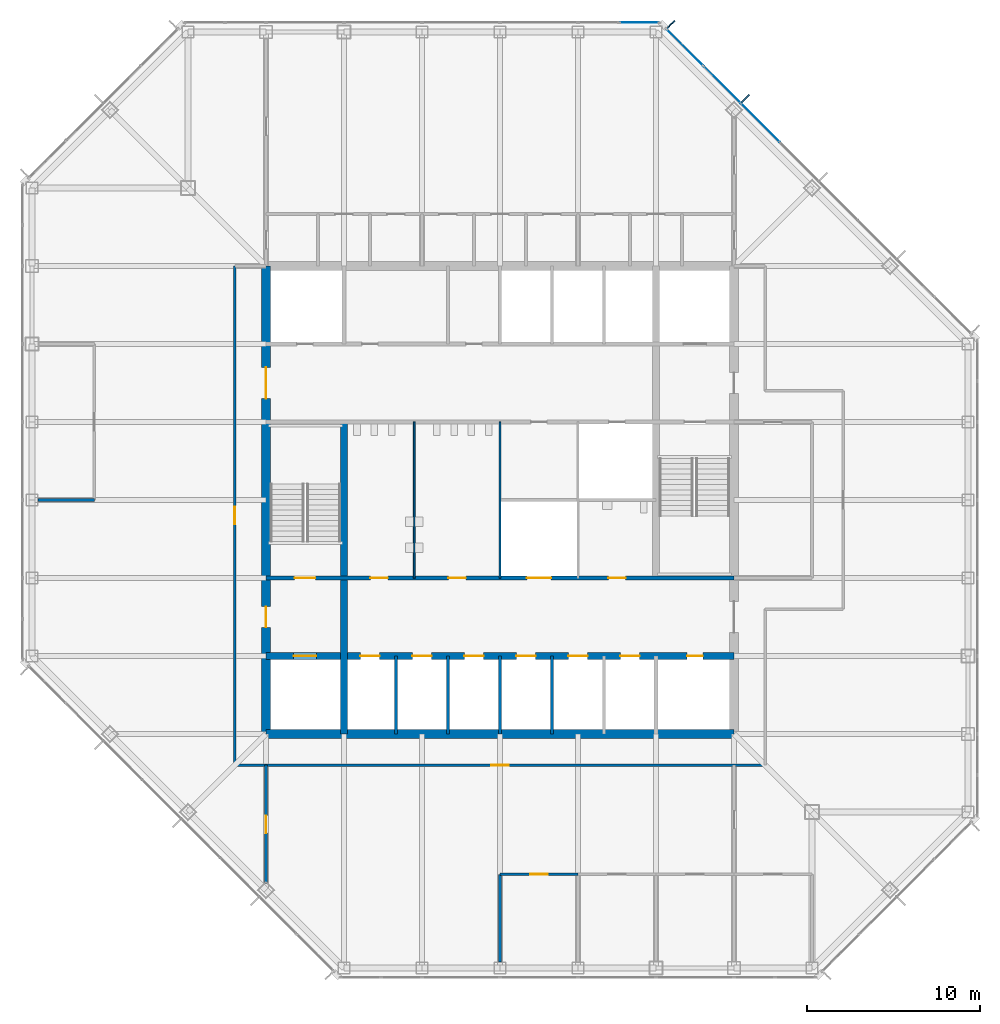
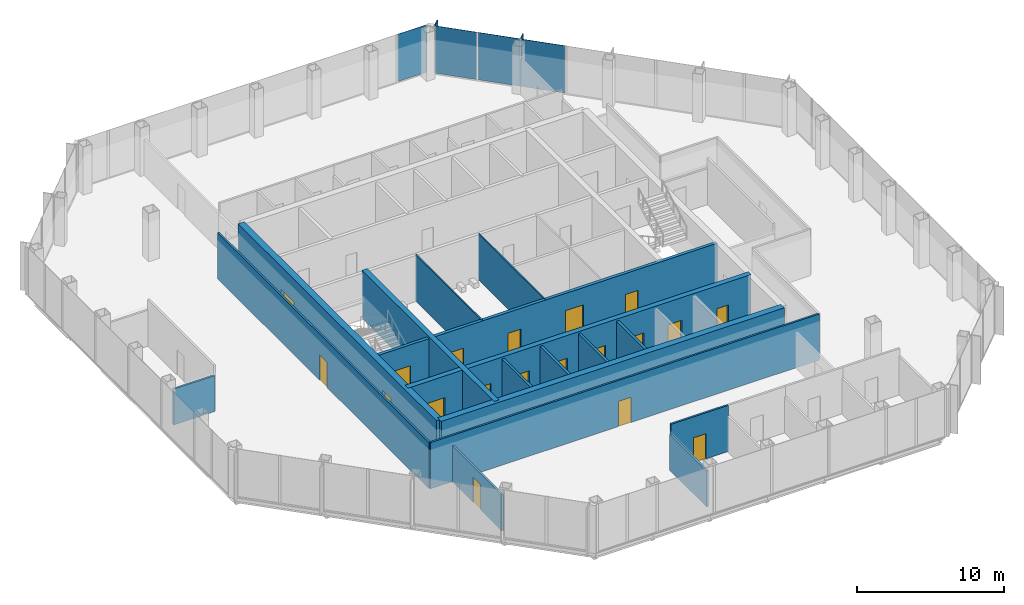
# One storey, part 8 of 12: 19 doors, 17 walls, 6 plates, 19 openings, 2 elements without a shape of their own.
"""IFC4 building model written with IfcOpenShell, lengths in metres."""

from ifc_helpers import new_model, si_unit, direction, frame, frame_2d, origin, origin_2d, place, context, subcontext, project, spatial, rectangle, extrude, material, layer, layer_set, type_object, element, fill, aggregate, save


model = new_model("IFC4")

# Units and contexts
model_context = context("Model", 3, precision=1e-05, world=origin(), true_north=direction((0.0, 1.0)))
body_context = subcontext(model_context, "Body", "Model", "MODEL_VIEW")
ifc_project = project(units=[si_unit("LENGTHUNIT", "METRE"), si_unit("AREAUNIT", "SQUARE_METRE"), si_unit("VOLUMEUNIT", "CUBIC_METRE"), si_unit("PLANEANGLEUNIT", "RADIAN"), si_unit("MASSUNIT", "GRAM", prefix="KILO")], contexts=[model_context])

# Site, building, storey
site_placement = place(None, origin())
site = spatial("IfcSite", under=ifc_project, at=site_placement, CompositionType="ELEMENT")
building_placement = place(site_placement, origin())
building = spatial("IfcBuilding", under=site, at=building_placement, Name="Corais Broadcast Tower", CompositionType="ELEMENT")
storey_placement = place(building_placement, frame((0.0, 0.0, 163.60009765625)))
storey = spatial("IfcBuildingStorey", under=building, at=storey_placement, Name="L37", CompositionType="ELEMENT", Elevation=163.60009765625)

# Curtain wall, plates
ifc_material_1 = material(Name="Aluminium and glass", Category="aluminium")
curtain_wall_type = type_object("IfcCurtainWallType", Name="Unitised fritted curtain wall CW2", PredefinedType="NOTDEFINED", material=ifc_material_1)
curtain_wall_1_placement = place(storey_placement, origin())
curtain_wall_1 = element("IfcCurtainWall", 1, at=curtain_wall_1_placement, inside=storey, type_object=curtain_wall_type, Name="CW2 curtain wall L37 5", PredefinedType="NOTDEFINED")
ifc_material_2 = material(Name="Ceramic-fritted laminated glass", Category="glass")
ifc_layer_1 = layer(ifc_material_2, 0.028076171875)
ifc_layer_set_1 = layer_set([ifc_layer_1], Name="Ceramic-fritted laminated glass")
plate_type_1 = type_object("IfcPlateType", Name="Fritted glass panel CW2", PredefinedType="CURTAIN_PANEL", material=ifc_layer_set_1)
plate_1_placement = place(storey_placement, frame((37.669677734375, 53.108154296875, 0.06494140625), z_axis=(0.0, 0.0, 1.0), x_axis=(0.707106781187, -0.707106781187, 0.0)))
plate_1 = element("IfcPlate", 2, at=plate_1_placement, type_object=plate_type_1, Name="CW2 panel 1", PredefinedType="CURTAIN_PANEL", context=body_context, shape_type="SweptSolid", body=[
    extrude(rectangle(XDim=2.9482421875, YDim=0.028076171875, at=origin_2d()), origin(), (0.0, 0.0, 1.0), 3.93505859375),
])
plate_2_placement = place(storey_placement, frame((42.013916015625, 48.763916015625, 0.06494140625), z_axis=(0.0, 0.0, 1.0), x_axis=(0.707106781187, -0.707106781187, 0.0)))
plate_2 = element("IfcPlate", 3, at=plate_2_placement, type_object=plate_type_1, Name="CW2 panel 3", PredefinedType="CURTAIN_PANEL", context=body_context, shape_type="SweptSolid", body=[
    extrude(rectangle(XDim=3.116943359375, YDim=0.028076171875, at=origin_2d()), origin(), (0.0, 0.0, 1.0), 3.93505859375),
])

# Curtain wall, plate
curtain_wall_2_placement = place(storey_placement, origin())
curtain_wall_2 = element("IfcCurtainWall", 4, at=curtain_wall_2_placement, inside=storey, type_object=curtain_wall_type, Name="CW2 curtain wall L37 4", PredefinedType="NOTDEFINED")
ifc_material_3 = material(Name="Clear laminated glass", Category="glass")
ifc_layer_2 = layer(ifc_material_3, 0.031982421875)
ifc_layer_set_2 = layer_set([ifc_layer_2], Name="Clear laminated glass")
plate_type_2 = type_object("IfcPlateType", Name="Operable glass panel CW2", PredefinedType="CURTAIN_PANEL", material=ifc_layer_set_2)
plate_3_placement = place(storey_placement, frame((35.029541015625, 54.550048828125, 0.06494140625), z_axis=(0.0, 0.0, 1.0), x_axis=(1.0, 0.0, 0.0)))
plate_3 = element("IfcPlate", 5, at=plate_3_placement, type_object=plate_type_2, Name="CW2 operable panel 8", PredefinedType="CURTAIN_PANEL", context=body_context, shape_type="SweptSolid", body=[
    extrude(rectangle(XDim=2.266357421875, YDim=0.031982421875, at=origin_2d()), origin(), (0.0, 0.0, 1.0), 3.93505859375),
])
aggregate(curtain_wall_2, [plate_3])

# Plate
plate_4_placement = place(storey_placement, frame((39.81201171875, 50.9658203125, 0.06494140625), z_axis=(0.0, 0.0, 1.0), x_axis=(0.707106781187, -0.707106781187, 0.0)))
plate_4 = element("IfcPlate", 6, at=plate_4_placement, type_object=plate_type_2, Name="CW2 operable panel 2", PredefinedType="CURTAIN_PANEL", context=body_context, shape_type="SweptSolid", body=[
    extrude(rectangle(XDim=2.98095703125, YDim=0.031982421875, at=origin_2d()), origin(), (0.0, 0.0, 1.0), 3.93505859375),
])

aggregate(curtain_wall_1, [plate_1, plate_4, plate_2])

# Plates
ifc_material_4 = material(Name="Granite stone cladding", Category="masonry")
ifc_layer_3 = layer(ifc_material_4, 0.080078125)
ifc_layer_set_3 = layer_set([ifc_layer_3], Name="Granite stone cladding")
plate_type_3 = type_object("IfcPlateType", Name="Stone screen fin 80x600", PredefinedType="USERDEFINED", material=ifc_layer_set_3)
for number, where, z_axis, x_axis, name in (
    (7, (36.8779296875, 54.447021484375, 0.0), (0.0, 0.0, 1.0), (0.707106781187, -0.707106781187, 0.0), "SF1 stone screen fin L37"),
    (8, (41.16259765625, 50.16259765625, 0.0), (0.0, 0.0, 1.0), (0.707106781187, -0.707106781187, 0.0), "SF1 stone screen fin L37"),
):
    element("IfcPlate", number, at=place(storey_placement, frame(where, z_axis=z_axis, x_axis=x_axis)), inside=storey, type_object=plate_type_3, Name=name, ObjectType="STONE SCREEN FIN", PredefinedType="USERDEFINED", context=body_context, shape_type="SweptSolid", body=[
        extrude(rectangle(XDim=0.080078125, YDim=0.60009765625, at=origin_2d()), origin(), (0.0, 0.0, 1.0), 4.0),
    ])

# Wall, openings, doors
ifc_material_5 = material(Name="Concrete blockwork class A, grouted, two-hour", Category="masonry")
ifc_layer_4 = layer(ifc_material_5, 0.25)
ifc_layer_set_4 = layer_set([ifc_layer_4], Name="Concrete blockwork class A, grouted, two-hour")
wall_type_1 = type_object("IfcWallType", Name="Core lobby wall 250", PredefinedType="SOLIDWALL", material=ifc_layer_set_4)
wall_1_placement = place(storey_placement, frame((13.5, 22.5, 0.0), z_axis=(0.0, 0.0, 1.0), x_axis=(1.0, 0.0, 0.0)))
wall_1 = element("IfcWall", 9, at=wall_1_placement, inside=storey, type_object=wall_type_1, Name="CL2 core lobby wall Y225 L37", PredefinedType="SOLIDWALL", context=body_context, shape_type="SweptSolid", body=[
    extrude(rectangle(XDim=27.0, YDim=0.25, at=frame_2d((13.5, 0.0))), origin(), (0.0, 0.0, 1.0), 3.83984375),
])
opening_1_placement = place(wall_1_placement, frame((1.64990234375, 0.0, 0.0)))
opening_1 = element("IfcOpeningElement", 10, at=opening_1_placement, cuts=wall_1, Name="Opening FD1", PredefinedType="OPENING", context=body_context, shape_type="SweptSolid", body=[
    extrude(rectangle(XDim=1.199951171875, YDim=2.10009765625, at=frame_2d((0.60009765625, 1.050048828125))), frame((0.0, 0.135009765625, 0.0), z_axis=(0.0, -1.0, 0.0), x_axis=(1.0, 0.0, 0.0)), (0.0, 0.0, 1.0), 0.27001953125),
])
opening_2_placement = place(wall_1_placement, frame((6.02490234375, 0.0, 0.0)))
opening_2 = element("IfcOpeningElement", 11, at=opening_2_placement, cuts=wall_1, Name="Opening WD1", PredefinedType="OPENING", context=body_context, shape_type="SweptSolid", body=[
    extrude(rectangle(XDim=1.0, YDim=2.10009765625, at=frame_2d((0.5, 1.050048828125))), frame((0.0, 0.135009765625, 0.0), z_axis=(0.0, -1.0, 0.0), x_axis=(1.0, 0.0, 0.0)), (0.0, 0.0, 1.0), 0.27001953125),
])
opening_3_placement = place(wall_1_placement, frame((10.52490234375, 0.0, 0.0)))
opening_3 = element("IfcOpeningElement", 12, at=opening_3_placement, cuts=wall_1, Name="Opening WD1", PredefinedType="OPENING", context=body_context, shape_type="SweptSolid", body=[
    extrude(rectangle(XDim=1.0, YDim=2.10009765625, at=frame_2d((0.5, 1.050048828125))), frame((0.0, 0.135009765625, 0.0), z_axis=(0.0, -1.0, 0.0), x_axis=(1.0, 0.0, 0.0)), (0.0, 0.0, 1.0), 0.27001953125),
])
opening_4_placement = place(wall_1_placement, frame((19.75, 0.0, 0.0)))
opening_4 = element("IfcOpeningElement", 13, at=opening_4_placement, cuts=wall_1, Name="Opening WD1", PredefinedType="OPENING", context=body_context, shape_type="SweptSolid", body=[
    extrude(rectangle(XDim=1.0, YDim=2.10009765625, at=frame_2d((0.5, 1.050048828125))), frame((0.0, 0.135009765625, 0.0), z_axis=(0.0, -1.0, 0.0), x_axis=(1.0, 0.0, 0.0)), (0.0, 0.0, 1.0), 0.27001953125),
])
opening_5_placement = place(wall_1_placement, frame((15.050048828125, 0.0, 0.0)))
opening_5 = element("IfcOpeningElement", 14, at=opening_5_placement, cuts=wall_1, Name="Opening LD3", PredefinedType="OPENING", context=body_context, shape_type="SweptSolid", body=[
    extrude(rectangle(XDim=1.39990234375, YDim=2.39990234375, at=frame_2d((0.699951171875, 1.199951171875))), frame((0.0, 0.135009765625, 0.0), z_axis=(0.0, -1.0, 0.0), x_axis=(1.0, 0.0, 0.0)), (0.0, 0.0, 1.0), 0.27001953125),
])
ifc_material_6 = material(Name="Steel fire door", Category="steel")
door_type_1 = type_object("IfcDoorType", Name="Fire door 1200x2100", OperationType="SINGLE_SWING_LEFT", PredefinedType="DOOR", material=ifc_material_6)
door_1_placement = place(opening_1_placement, origin())
door_1 = element("IfcDoor", 15, at=door_1_placement, inside=storey, type_object=door_type_1, Name="FD1 stair A door L37", OperationType="SINGLE_SWING_LEFT", OverallHeight=2.10009765625, OverallWidth=1.199951171875, PredefinedType="DOOR", context=body_context, shape_type="SweptSolid", body=[
    extrude(rectangle(XDim=1.199951171875, YDim=2.10009765625, at=frame_2d((0.60009765625, 1.050048828125))), frame((0.0, 0.02490234375, 0.0), z_axis=(0.0, -1.0, 0.0), x_axis=(1.0, 0.0, 0.0)), (0.0, 0.0, 1.0), 0.050048828125),
])
fill(opening_1, door_1)
ifc_material_7 = material(Name="Stainless steel lift door", Category="steel")
door_type_2 = type_object("IfcDoorType", Name="Service lift landing door 1400x2400", OperationType="SLIDING_TO_LEFT", PredefinedType="DOOR", material=ifc_material_7)
door_2_placement = place(opening_5_placement, origin())
door_2 = element("IfcDoor", 16, at=door_2_placement, inside=storey, type_object=door_type_2, Name="LD3 SL1 landing door L37", OperationType="SLIDING_TO_LEFT", OverallHeight=2.39990234375, OverallWidth=1.39990234375, PredefinedType="DOOR", context=body_context, shape_type="SweptSolid", body=[
    extrude(rectangle(XDim=1.39990234375, YDim=2.39990234375, at=frame_2d((0.699951171875, 1.199951171875))), frame((0.0, 0.02490234375, 0.0), z_axis=(0.0, -1.0, 0.0), x_axis=(1.0, 0.0, 0.0)), (0.0, 0.0, 1.0), 0.050048828125),
])
fill(opening_5, door_2)
ifc_material_8 = material(Name="Timber door", Category="wood")
door_type_3 = type_object("IfcDoorType", Name="Toilet door 1000x2100", OperationType="SINGLE_SWING_LEFT", PredefinedType="DOOR", material=ifc_material_8)
door_3_placement = place(opening_2_placement, origin())
door_3 = element("IfcDoor", 17, at=door_3_placement, inside=storey, type_object=door_type_3, Name="WD1 WC male door L37", OperationType="SINGLE_SWING_LEFT", OverallHeight=2.10009765625, OverallWidth=1.0, PredefinedType="DOOR", context=body_context, shape_type="SweptSolid", body=[
    extrude(rectangle(XDim=1.0, YDim=2.10009765625, at=frame_2d((0.5, 1.050048828125))), frame((0.0, 0.02490234375, 0.0), z_axis=(0.0, -1.0, 0.0), x_axis=(1.0, 0.0, 0.0)), (0.0, 0.0, 1.0), 0.050048828125),
])
fill(opening_2, door_3)
door_4_placement = place(opening_3_placement, origin())
door_4 = element("IfcDoor", 18, at=door_4_placement, inside=storey, type_object=door_type_3, Name="WD1 WC female door L37", OperationType="SINGLE_SWING_LEFT", OverallHeight=2.10009765625, OverallWidth=1.0, PredefinedType="DOOR", context=body_context, shape_type="SweptSolid", body=[
    extrude(rectangle(XDim=1.0, YDim=2.10009765625, at=frame_2d((0.5, 1.050048828125))), frame((0.0, 0.02490234375, 0.0), z_axis=(0.0, -1.0, 0.0), x_axis=(1.0, 0.0, 0.0)), (0.0, 0.0, 1.0), 0.050048828125),
])
fill(opening_3, door_4)
door_5_placement = place(opening_4_placement, origin())
door_5 = element("IfcDoor", 19, at=door_5_placement, inside=storey, type_object=door_type_3, Name="WD1 accessible WC door L37", OperationType="SINGLE_SWING_RIGHT", OverallHeight=2.10009765625, OverallWidth=1.0, PredefinedType="DOOR", context=body_context, shape_type="SweptSolid", body=[
    extrude(rectangle(XDim=1.0, YDim=2.10009765625, at=frame_2d((0.5, 1.050048828125))), frame((0.0, 0.02490234375, 0.0), z_axis=(0.0, -1.0, 0.0), x_axis=(1.0, 0.0, 0.0)), (0.0, 0.0, 1.0), 0.050048828125),
])
fill(opening_4, door_5)

# Wall
ifc_material_9 = material(Name="Concrete C50/60", Category="concrete")
ifc_layer_5 = layer(ifc_material_9, 0.39990234375)
ifc_layer_set_5 = layer_set([ifc_layer_5], Name="Concrete C50/60")
wall_type_2 = type_object("IfcWallType", Name="Core wall 400", PredefinedType="SHEAR", material=ifc_layer_set_5)
wall_2_placement = place(storey_placement, frame((18.0, 13.5, 0.0), z_axis=(0.0, 0.0, 1.0), x_axis=(0.0, 1.0, 0.0)))
element("IfcWall", 20, at=wall_2_placement, inside=storey, type_object=wall_type_2, Name="CR400 core wall X18A L37", PredefinedType="SHEAR", context=body_context, shape_type="SweptSolid", body=[
    extrude(rectangle(XDim=18.0, YDim=0.39990234375, at=frame_2d((9.0, 0.0))), origin(), (0.0, 0.0, 1.0), 4.0),
])

# Wall, openings, doors
wall_3_placement = place(storey_placement, frame((13.5, 18.0, 0.0), z_axis=(0.0, 0.0, 1.0), x_axis=(1.0, 0.0, 0.0)))
wall_3 = element("IfcWall", 21, at=wall_3_placement, inside=storey, type_object=wall_type_2, Name="CR400 core wall Y18 L37", PredefinedType="SHEAR", context=body_context, shape_type="SweptSolid", body=[
    extrude(rectangle(XDim=27.0, YDim=0.39990234375, at=frame_2d((13.5, 0.0))), origin(), (0.0, 0.0, 1.0), 4.0),
])
opening_6_placement = place(wall_3_placement, frame((24.300048828125, 0.0, 0.0)))
opening_6 = element("IfcOpeningElement", 22, at=opening_6_placement, cuts=wall_3, Name="Opening RD1", PredefinedType="OPENING", context=body_context, shape_type="SweptSolid", body=[
    extrude(rectangle(XDim=0.89990234375, YDim=2.10009765625, at=frame_2d((0.449951171875, 1.050048828125))), frame((0.0, 0.2099609375, 0.0), z_axis=(0.0, -1.0, 0.0), x_axis=(1.0, 0.0, 0.0)), (0.0, 0.0, 1.0), 0.419921875),
])
opening_7_placement = place(wall_3_placement, frame((5.449951171875, 0.0, 0.0)))
opening_7 = element("IfcOpeningElement", 23, at=opening_7_placement, cuts=wall_3, Name="Opening LD1", PredefinedType="OPENING", context=body_context, shape_type="SweptSolid", body=[
    extrude(rectangle(XDim=1.10009765625, YDim=2.10009765625, at=frame_2d((0.550048828125, 1.050048828125))), frame((0.0, 0.2099609375, 0.0), z_axis=(0.0, -1.0, 0.0), x_axis=(1.0, 0.0, 0.0)), (0.0, 0.0, 1.0), 0.419921875),
])
opening_8_placement = place(wall_3_placement, frame((8.449951171875, 0.0, 0.0)))
opening_8 = element("IfcOpeningElement", 24, at=opening_8_placement, cuts=wall_3, Name="Opening LD1", PredefinedType="OPENING", context=body_context, shape_type="SweptSolid", body=[
    extrude(rectangle(XDim=1.10009765625, YDim=2.10009765625, at=frame_2d((0.550048828125, 1.050048828125))), frame((0.0, 0.2099609375, 0.0), z_axis=(0.0, -1.0, 0.0), x_axis=(1.0, 0.0, 0.0)), (0.0, 0.0, 1.0), 0.419921875),
])
opening_9_placement = place(wall_3_placement, frame((11.449951171875, 0.0, 0.0)))
opening_9 = element("IfcOpeningElement", 25, at=opening_9_placement, cuts=wall_3, Name="Opening LD1", PredefinedType="OPENING", context=body_context, shape_type="SweptSolid", body=[
    extrude(rectangle(XDim=1.10009765625, YDim=2.10009765625, at=frame_2d((0.550048828125, 1.050048828125))), frame((0.0, 0.2099609375, 0.0), z_axis=(0.0, -1.0, 0.0), x_axis=(1.0, 0.0, 0.0)), (0.0, 0.0, 1.0), 0.419921875),
])
opening_10_placement = place(wall_3_placement, frame((14.449951171875, 0.0, 0.0)))
opening_10 = element("IfcOpeningElement", 26, at=opening_10_placement, cuts=wall_3, Name="Opening LD1", PredefinedType="OPENING", context=body_context, shape_type="SweptSolid", body=[
    extrude(rectangle(XDim=1.10009765625, YDim=2.10009765625, at=frame_2d((0.550048828125, 1.050048828125))), frame((0.0, 0.2099609375, 0.0), z_axis=(0.0, -1.0, 0.0), x_axis=(1.0, 0.0, 0.0)), (0.0, 0.0, 1.0), 0.419921875),
])
opening_11_placement = place(wall_3_placement, frame((17.449951171875, 0.0, 0.0)))
opening_11 = element("IfcOpeningElement", 27, at=opening_11_placement, cuts=wall_3, Name="Opening LD1", PredefinedType="OPENING", context=body_context, shape_type="SweptSolid", body=[
    extrude(rectangle(XDim=1.10009765625, YDim=2.10009765625, at=frame_2d((0.550048828125, 1.050048828125))), frame((0.0, 0.2099609375, 0.0), z_axis=(0.0, -1.0, 0.0), x_axis=(1.0, 0.0, 0.0)), (0.0, 0.0, 1.0), 0.419921875),
])
opening_12_placement = place(wall_3_placement, frame((20.449951171875, 0.0, 0.0)))
opening_12 = element("IfcOpeningElement", 28, at=opening_12_placement, cuts=wall_3, Name="Opening LD1", PredefinedType="OPENING", context=body_context, shape_type="SweptSolid", body=[
    extrude(rectangle(XDim=1.10009765625, YDim=2.10009765625, at=frame_2d((0.550048828125, 1.050048828125))), frame((0.0, 0.2099609375, 0.0), z_axis=(0.0, -1.0, 0.0), x_axis=(1.0, 0.0, 0.0)), (0.0, 0.0, 1.0), 0.419921875),
])
opening_13_placement = place(wall_3_placement, frame((1.60009765625, 0.0, 0.0)))
opening_13 = element("IfcOpeningElement", 29, at=opening_13_placement, cuts=wall_3, Name="Opening LD2", PredefinedType="OPENING", context=body_context, shape_type="SweptSolid", body=[
    extrude(rectangle(XDim=1.300048828125, YDim=2.199951171875, at=frame_2d((0.64990234375, 1.10009765625))), frame((0.0, 0.2099609375, 0.0), z_axis=(0.0, -1.0, 0.0), x_axis=(1.0, 0.0, 0.0)), (0.0, 0.0, 1.0), 0.419921875),
])
ifc_material_10 = material(Name="Stainless steel lift door", Category="steel")
door_type_4 = type_object("IfcDoorType", Name="Lift landing door 1100x2100", OperationType="SLIDING_TO_LEFT", PredefinedType="DOOR", material=ifc_material_10)
door_6_placement = place(opening_7_placement, origin())
door_6 = element("IfcDoor", 30, at=door_6_placement, inside=storey, type_object=door_type_4, Name="LD1 PM1 landing door L37", OperationType="SLIDING_TO_LEFT", OverallHeight=2.10009765625, OverallWidth=1.10009765625, PredefinedType="DOOR", context=body_context, shape_type="SweptSolid", body=[
    extrude(rectangle(XDim=1.10009765625, YDim=2.10009765625, at=frame_2d((0.550048828125, 1.050048828125))), frame((0.0, 0.02490234375, 0.0), z_axis=(0.0, -1.0, 0.0), x_axis=(1.0, 0.0, 0.0)), (0.0, 0.0, 1.0), 0.050048828125),
])
fill(opening_7, door_6)
door_7_placement = place(opening_8_placement, origin())
door_7 = element("IfcDoor", 31, at=door_7_placement, inside=storey, type_object=door_type_4, Name="LD1 PM2 landing door L37", OperationType="SLIDING_TO_LEFT", OverallHeight=2.10009765625, OverallWidth=1.10009765625, PredefinedType="DOOR", context=body_context, shape_type="SweptSolid", body=[
    extrude(rectangle(XDim=1.10009765625, YDim=2.10009765625, at=frame_2d((0.550048828125, 1.050048828125))), frame((0.0, 0.02490234375, 0.0), z_axis=(0.0, -1.0, 0.0), x_axis=(1.0, 0.0, 0.0)), (0.0, 0.0, 1.0), 0.050048828125),
])
fill(opening_8, door_7)
door_8_placement = place(opening_9_placement, origin())
door_8 = element("IfcDoor", 32, at=door_8_placement, inside=storey, type_object=door_type_4, Name="LD1 PM3 landing door L37", OperationType="SLIDING_TO_LEFT", OverallHeight=2.10009765625, OverallWidth=1.10009765625, PredefinedType="DOOR", context=body_context, shape_type="SweptSolid", body=[
    extrude(rectangle(XDim=1.10009765625, YDim=2.10009765625, at=frame_2d((0.550048828125, 1.050048828125))), frame((0.0, 0.02490234375, 0.0), z_axis=(0.0, -1.0, 0.0), x_axis=(1.0, 0.0, 0.0)), (0.0, 0.0, 1.0), 0.050048828125),
])
fill(opening_9, door_8)
door_9_placement = place(opening_10_placement, origin())
door_9 = element("IfcDoor", 33, at=door_9_placement, inside=storey, type_object=door_type_4, Name="LD1 PM4 landing door L37", OperationType="SLIDING_TO_LEFT", OverallHeight=2.10009765625, OverallWidth=1.10009765625, PredefinedType="DOOR", context=body_context, shape_type="SweptSolid", body=[
    extrude(rectangle(XDim=1.10009765625, YDim=2.10009765625, at=frame_2d((0.550048828125, 1.050048828125))), frame((0.0, 0.02490234375, 0.0), z_axis=(0.0, -1.0, 0.0), x_axis=(1.0, 0.0, 0.0)), (0.0, 0.0, 1.0), 0.050048828125),
])
fill(opening_10, door_9)
door_10_placement = place(opening_11_placement, origin())
door_10 = element("IfcDoor", 34, at=door_10_placement, inside=storey, type_object=door_type_4, Name="LD1 PM5 landing door L37", OperationType="SLIDING_TO_LEFT", OverallHeight=2.10009765625, OverallWidth=1.10009765625, PredefinedType="DOOR", context=body_context, shape_type="SweptSolid", body=[
    extrude(rectangle(XDim=1.10009765625, YDim=2.10009765625, at=frame_2d((0.550048828125, 1.050048828125))), frame((0.0, 0.02490234375, 0.0), z_axis=(0.0, -1.0, 0.0), x_axis=(1.0, 0.0, 0.0)), (0.0, 0.0, 1.0), 0.050048828125),
])
fill(opening_11, door_10)
door_11_placement = place(opening_12_placement, origin())
door_11 = element("IfcDoor", 35, at=door_11_placement, inside=storey, type_object=door_type_4, Name="LD1 PM6 landing door L37", OperationType="SLIDING_TO_LEFT", OverallHeight=2.10009765625, OverallWidth=1.10009765625, PredefinedType="DOOR", context=body_context, shape_type="SweptSolid", body=[
    extrude(rectangle(XDim=1.10009765625, YDim=2.10009765625, at=frame_2d((0.550048828125, 1.050048828125))), frame((0.0, 0.02490234375, 0.0), z_axis=(0.0, -1.0, 0.0), x_axis=(1.0, 0.0, 0.0)), (0.0, 0.0, 1.0), 0.050048828125),
])
fill(opening_12, door_11)
ifc_material_11 = material(Name="Stainless steel lift door", Category="steel")
door_type_5 = type_object("IfcDoorType", Name="Lift landing door 1300x2200", OperationType="SLIDING_TO_LEFT", PredefinedType="DOOR", material=ifc_material_11)
door_12_placement = place(opening_13_placement, origin())
door_12 = element("IfcDoor", 36, at=door_12_placement, inside=storey, type_object=door_type_5, Name="LD2 FL1 landing door L37", OperationType="SLIDING_TO_LEFT", OverallHeight=2.199951171875, OverallWidth=1.300048828125, PredefinedType="DOOR", context=body_context, shape_type="SweptSolid", body=[
    extrude(rectangle(XDim=1.300048828125, YDim=2.199951171875, at=frame_2d((0.64990234375, 1.10009765625))), frame((0.0, 0.02490234375, 0.0), z_axis=(0.0, -1.0, 0.0), x_axis=(1.0, 0.0, 0.0)), (0.0, 0.0, 1.0), 0.050048828125),
])
fill(opening_13, door_12)
ifc_material_12 = material(Name="Steel fire door", Category="steel")
door_type_6 = type_object("IfcDoorType", Name="Riser door 900x2100", OperationType="SINGLE_SWING_LEFT", PredefinedType="DOOR", material=ifc_material_12)
door_13_placement = place(opening_6_placement, origin())
door_13 = element("IfcDoor", 37, at=door_13_placement, inside=storey, type_object=door_type_6, Name="RD1 riser door L37", OperationType="SINGLE_SWING_RIGHT", OverallHeight=2.10009765625, OverallWidth=0.89990234375, PredefinedType="DOOR", context=body_context, shape_type="SweptSolid", body=[
    extrude(rectangle(XDim=0.89990234375, YDim=2.10009765625, at=frame_2d((0.449951171875, 1.050048828125))), frame((0.0, 0.02490234375, 0.0), z_axis=(0.0, -1.0, 0.0), x_axis=(1.0, 0.0, 0.0)), (0.0, 0.0, 1.0), 0.050048828125),
])
fill(opening_6, door_13)

# Wall
ifc_material_13 = material(Name="Concrete C50/60", Category="concrete")
ifc_layer_6 = layer(ifc_material_13, 0.5)
ifc_layer_set_6 = layer_set([ifc_layer_6], Name="Concrete C50/60")
wall_type_3 = type_object("IfcWallType", Name="Core wall 500", PredefinedType="SHEAR", material=ifc_layer_set_6)
wall_4_placement = place(storey_placement, frame((13.5, 13.5, 0.0), z_axis=(0.0, 0.0, 1.0), x_axis=(1.0, 0.0, 0.0)))
element("IfcWall", 38, at=wall_4_placement, inside=storey, type_object=wall_type_3, Name="CR500 core wall S L37", PredefinedType="SHEAR", context=body_context, shape_type="SweptSolid", body=[
    extrude(rectangle(XDim=27.0, YDim=0.5, at=frame_2d((13.5, 0.0))), origin(), (0.0, 0.0, 1.0), 4.0),
])

# Wall, openings, doors
wall_5_placement = place(storey_placement, frame((13.5, 40.5, 0.0), z_axis=(0.0, 0.0, 1.0), x_axis=(0.0, -1.0, 0.0)))
wall_5 = element("IfcWall", 39, at=wall_5_placement, inside=storey, type_object=wall_type_3, Name="CR500 core wall W L37", PredefinedType="SHEAR", context=body_context, shape_type="SweptSolid", body=[
    extrude(rectangle(XDim=27.0, YDim=0.5, at=frame_2d((13.5, 0.0))), origin(), (0.0, 0.0, 1.0), 4.0),
])
opening_14_placement = place(wall_5_placement, frame((19.64990234375, 0.0, 0.0)))
opening_14 = element("IfcOpeningElement", 40, at=opening_14_placement, cuts=wall_5, Name="Opening FD1", PredefinedType="OPENING", context=body_context, shape_type="SweptSolid", body=[
    extrude(rectangle(XDim=1.199951171875, YDim=2.10009765625, at=frame_2d((0.60009765625, 1.050048828125))), frame((0.0, 0.260009765625, 0.0), z_axis=(0.0, -1.0, 0.0), x_axis=(1.0, 0.0, 0.0)), (0.0, 0.0, 1.0), 0.52001953125),
])
opening_15_placement = place(wall_5_placement, frame((5.85009765625, 0.0, 0.0)))
opening_15 = element("IfcOpeningElement", 41, at=opening_15_placement, cuts=wall_5, Name="Opening FD2", PredefinedType="OPENING", context=body_context, shape_type="SweptSolid", body=[
    extrude(rectangle(XDim=1.800048828125, YDim=2.10009765625, at=frame_2d((0.89990234375, 1.050048828125))), frame((0.0, 0.260009765625, 0.0), z_axis=(0.0, -1.0, 0.0), x_axis=(1.0, 0.0, 0.0)), (0.0, 0.0, 1.0), 0.52001953125),
])
door_14_placement = place(opening_14_placement, origin())
door_14 = element("IfcDoor", 42, at=door_14_placement, inside=storey, type_object=door_type_1, Name="FD1 fire lobby A door L37", OperationType="SINGLE_SWING_RIGHT", OverallHeight=2.10009765625, OverallWidth=1.199951171875, PredefinedType="DOOR", context=body_context, shape_type="SweptSolid", body=[
    extrude(rectangle(XDim=1.199951171875, YDim=2.10009765625, at=frame_2d((0.60009765625, 1.050048828125))), frame((0.0, 0.02490234375, 0.0), z_axis=(0.0, -1.0, 0.0), x_axis=(1.0, 0.0, 0.0)), (0.0, 0.0, 1.0), 0.050048828125),
])
fill(opening_14, door_14)
ifc_material_14 = material(Name="Steel fire door", Category="steel")
door_type_7 = type_object("IfcDoorType", Name="Fire door pair 1800x2100", OperationType="DOUBLE_DOOR_SINGLE_SWING", PredefinedType="DOOR", material=ifc_material_14)
door_15_placement = place(opening_15_placement, origin())
door_15 = element("IfcDoor", 43, at=door_15_placement, inside=storey, type_object=door_type_7, Name="FD2 lift lobby door L37", OperationType="SINGLE_SWING_LEFT", OverallHeight=2.10009765625, OverallWidth=1.800048828125, PredefinedType="DOOR", context=body_context, shape_type="SweptSolid", body=[
    extrude(rectangle(XDim=1.800048828125, YDim=2.10009765625, at=frame_2d((0.89990234375, 1.050048828125))), frame((0.0, 0.02490234375, 0.0), z_axis=(0.0, -1.0, 0.0), x_axis=(1.0, 0.0, 0.0)), (0.0, 0.0, 1.0), 0.050048828125),
])
fill(opening_15, door_15)

# Wall, opening, door
ifc_material_15 = material(Name="Gypsum board on steel studs", Category="steel")
ifc_layer_7 = layer(ifc_material_15, 0.14990234375)
ifc_layer_set_7 = layer_set([ifc_layer_7], Name="Gypsum board on steel studs")
wall_type_4 = type_object("IfcWallType", Name="Partition 150", PredefinedType="PARTITIONING", material=ifc_layer_set_7)
wall_6_placement = place(storey_placement, frame((11.699951171875, 11.699951171875, 0.0), z_axis=(0.0, 0.0, 1.0), x_axis=(1.0, 0.0, 0.0)))
wall_6 = element("IfcWall", 44, at=wall_6_placement, inside=storey, type_object=wall_type_4, Name="IW3 corridor wall L37", PredefinedType="PARTITIONING", context=body_context, shape_type="SweptSolid", body=[
    extrude(rectangle(XDim=30.60009765625, YDim=0.14990234375, at=frame_2d((15.300048828125, 0.0))), origin(), (0.0, 0.0, 1.0), 3.83984375),
])
opening_16_placement = place(wall_6_placement, frame((14.800048828125, 0.0, 0.0)))
opening_16 = element("IfcOpeningElement", 45, at=opening_16_placement, cuts=wall_6, Name="Opening D1", PredefinedType="OPENING", context=body_context, shape_type="SweptSolid", body=[
    extrude(rectangle(XDim=1.0, YDim=2.10009765625, at=frame_2d((0.5, 1.050048828125))), frame((0.0, 0.0849609375, 0.0), z_axis=(0.0, -1.0, 0.0), x_axis=(1.0, 0.0, 0.0)), (0.0, 0.0, 1.0), 0.169921875),
])
ifc_material_16 = material(Name="Timber door", Category="wood")
door_type_8 = type_object("IfcDoorType", Name="Single door 1000x2100", OperationType="SINGLE_SWING_LEFT", PredefinedType="DOOR", material=ifc_material_16)
door_16_placement = place(opening_16_placement, origin())
door_16 = element("IfcDoor", 46, at=door_16_placement, inside=storey, type_object=door_type_8, Name="D1 workplace door L37", OperationType="SINGLE_SWING_LEFT", OverallHeight=2.10009765625, OverallWidth=1.0, PredefinedType="DOOR", context=body_context, shape_type="SweptSolid", body=[
    extrude(rectangle(XDim=1.0, YDim=2.10009765625, at=frame_2d((0.5, 1.050048828125))), frame((0.0, 0.02490234375, 0.0), z_axis=(0.0, -1.0, 0.0), x_axis=(1.0, 0.0, 0.0)), (0.0, 0.0, 1.0), 0.050048828125),
])
fill(opening_16, door_16)

wall_7_placement = place(storey_placement, frame((11.699951171875, 40.5, 0.0), z_axis=(0.0, 0.0, 1.0), x_axis=(0.0, -1.0, 0.0)))
wall_7 = element("IfcWall", 47, at=wall_7_placement, inside=storey, type_object=wall_type_4, Name="IW3 corridor wall L37", PredefinedType="PARTITIONING", context=body_context, shape_type="SweptSolid", body=[
    extrude(rectangle(XDim=28.800048828125, YDim=0.14990234375, at=frame_2d((14.39990234375, 0.0))), origin(), (0.0, 0.0, 1.0), 3.83984375),
])
opening_17_placement = place(wall_7_placement, frame((13.89990234375, 0.0, 0.0)))
opening_17 = element("IfcOpeningElement", 48, at=opening_17_placement, cuts=wall_7, Name="Opening D1", PredefinedType="OPENING", context=body_context, shape_type="SweptSolid", body=[
    extrude(rectangle(XDim=1.0, YDim=2.10009765625, at=frame_2d((0.5, 1.050048828125))), frame((0.0, 0.0849609375, 0.0), z_axis=(0.0, -1.0, 0.0), x_axis=(1.0, 0.0, 0.0)), (0.0, 0.0, 1.0), 0.169921875),
])
door_17_placement = place(opening_17_placement, origin())
door_17 = element("IfcDoor", 49, at=door_17_placement, inside=storey, type_object=door_type_8, Name="D1 workplace door L37", OperationType="SINGLE_SWING_LEFT", OverallHeight=2.10009765625, OverallWidth=1.0, PredefinedType="DOOR", context=body_context, shape_type="SweptSolid", body=[
    extrude(rectangle(XDim=1.0, YDim=2.10009765625, at=frame_2d((0.5, 1.050048828125))), frame((0.0, 0.02490234375, 0.0), z_axis=(0.0, -1.0, 0.0), x_axis=(1.0, 0.0, 0.0)), (0.0, 0.0, 1.0), 0.050048828125),
])
fill(opening_17, door_17)

wall_8_placement = place(storey_placement, frame((31.5, 5.39990234375, 0.0), z_axis=(0.0, 0.0, 1.0), x_axis=(-1.0, 0.0, 0.0)))
wall_8 = element("IfcWall", 50, at=wall_8_placement, inside=storey, type_object=wall_type_4, Name="IW3 partition L37", PredefinedType="PARTITIONING", context=body_context, shape_type="SweptSolid", body=[
    extrude(rectangle(XDim=4.5, YDim=0.14990234375, at=frame_2d((2.25, 0.0))), origin(), (0.0, 0.0, 1.0), 3.83984375),
])
opening_18_placement = place(wall_8_placement, frame((1.75, 0.0, 0.0)))
opening_18 = element("IfcOpeningElement", 51, at=opening_18_placement, cuts=wall_8, Name="Opening D1", PredefinedType="OPENING", context=body_context, shape_type="SweptSolid", body=[
    extrude(rectangle(XDim=1.0, YDim=2.10009765625, at=frame_2d((0.5, 1.050048828125))), frame((0.0, 0.0849609375, 0.0), z_axis=(0.0, -1.0, 0.0), x_axis=(1.0, 0.0, 0.0)), (0.0, 0.0, 1.0), 0.169921875),
])
door_18_placement = place(opening_18_placement, origin())
door_18 = element("IfcDoor", 52, at=door_18_placement, inside=storey, type_object=door_type_8, Name="D1 Office door", OperationType="SINGLE_SWING_LEFT", OverallHeight=2.10009765625, OverallWidth=1.0, PredefinedType="DOOR", context=body_context, shape_type="SweptSolid", body=[
    extrude(rectangle(XDim=1.0, YDim=2.10009765625, at=frame_2d((0.5, 1.050048828125))), frame((0.0, 0.02490234375, 0.0), z_axis=(0.0, -1.0, 0.0), x_axis=(1.0, 0.0, 0.0)), (0.0, 0.0, 1.0), 0.050048828125),
])
fill(opening_18, door_18)

# Walls
wall_9_placement = place(storey_placement, frame((27.0, 5.39990234375, 0.0), z_axis=(0.0, 0.0, 1.0), x_axis=(0.0, -1.0, 0.0)))
element("IfcWall", 53, at=wall_9_placement, inside=storey, type_object=wall_type_4, Name="IW3 partition L37", PredefinedType="PARTITIONING", context=body_context, shape_type="SweptSolid", body=[
    extrude(rectangle(XDim=5.039794921875, YDim=0.14990234375, at=frame_2d((2.52001953125, 0.0))), origin(), (0.0, 0.0, 1.0), 2.989013671875),
])
wall_10_placement = place(storey_placement, frame((0.360107421875, 27.0, 0.0), z_axis=(0.0, 0.0, 1.0), x_axis=(1.0, 0.0, 0.0)))
element("IfcWall", 54, at=wall_10_placement, inside=storey, type_object=wall_type_4, Name="IW3 partition L37", PredefinedType="PARTITIONING", context=body_context, shape_type="SweptSolid", body=[
    extrude(rectangle(XDim=3.239990234375, YDim=0.14990234375, at=frame_2d((1.6201171875, 0.0))), origin(), (0.0, 0.0, 1.0), 2.989013671875),
])

# Wall, opening, door
wall_11_placement = place(storey_placement, frame((13.5, 4.8701171875, 0.0), z_axis=(0.0, 0.0, 1.0), x_axis=(0.0, 1.0, 0.0)))
wall_11 = element("IfcWall", 55, at=wall_11_placement, inside=storey, type_object=wall_type_4, Name="IW3 partition L37", PredefinedType="PARTITIONING", context=body_context, shape_type="SweptSolid", body=[
    extrude(rectangle(XDim=6.829833984375, YDim=0.14990234375, at=frame_2d((3.4150390625, 0.0))), origin(), (0.0, 0.0, 1.0), 2.989013671875),
])
opening_19_placement = place(wall_11_placement, frame((2.9150390625, 0.0, 0.0)))
opening_19 = element("IfcOpeningElement", 56, at=opening_19_placement, cuts=wall_11, Name="Opening D1", PredefinedType="OPENING", context=body_context, shape_type="SweptSolid", body=[
    extrude(rectangle(XDim=1.0, YDim=2.10009765625, at=frame_2d((0.5, 1.050048828125))), frame((0.0, 0.0849609375, 0.0), z_axis=(0.0, -1.0, 0.0), x_axis=(1.0, 0.0, 0.0)), (0.0, 0.0, 1.0), 0.169921875),
])
door_19_placement = place(opening_19_placement, origin())
door_19 = element("IfcDoor", 57, at=door_19_placement, inside=storey, type_object=door_type_8, Name="D1 team room door L37", OperationType="SINGLE_SWING_LEFT", OverallHeight=2.10009765625, OverallWidth=1.0, PredefinedType="DOOR", context=body_context, shape_type="SweptSolid", body=[
    extrude(rectangle(XDim=1.0, YDim=2.10009765625, at=frame_2d((0.5, 1.050048828125))), frame((0.0, 0.02490234375, 0.0), z_axis=(0.0, -1.0, 0.0), x_axis=(1.0, 0.0, 0.0)), (0.0, 0.0, 1.0), 0.050048828125),
])
fill(opening_19, door_19)

# Walls
ifc_material_17 = material(Name="Concrete blockwork class A, grouted, two-hour", Category="masonry")
ifc_layer_8 = layer(ifc_material_17, 0.199951171875)
ifc_layer_set_8 = layer_set([ifc_layer_8], Name="Concrete blockwork class A, grouted, two-hour")
wall_type_5 = type_object("IfcWallType", Name="Shaft wall 200", PredefinedType="PARTITIONING", material=ifc_layer_set_8)
for number, where, z_axis, x_axis, name in (
    (58, (21.0, 13.5, 0.0), (0.0, 0.0, 1.0), (0.0, 1.0, 0.0), "IW1 shaft wall L37"),
    (59, (24.0, 13.5, 0.0), (0.0, 0.0, 1.0), (0.0, 1.0, 0.0), "IW1 shaft wall L37"),
    (60, (27.0, 13.5, 0.0), (0.0, 0.0, 1.0), (0.0, 1.0, 0.0), "IW1 shaft wall L37"),
    (61, (30.0, 13.5, 0.0), (0.0, 0.0, 1.0), (0.0, 1.0, 0.0), "IW1 shaft wall L37"),
):
    element("IfcWall", number, at=place(storey_placement, frame(where, z_axis=z_axis, x_axis=x_axis)), inside=storey, type_object=wall_type_5, Name=name, PredefinedType="PARTITIONING", context=body_context, shape_type="SweptSolid", body=[
        extrude(rectangle(XDim=4.5, YDim=0.199951171875, at=frame_2d((2.25, 0.0))), origin(), (0.0, 0.0, 1.0), 3.83984375),
    ])
ifc_material_18 = material(Name="Dense concrete blockwork class A, tiled both faces", Category="masonry")
ifc_layer_9 = layer(ifc_material_18, 0.10009765625)
ifc_layer_set_9 = layer_set([ifc_layer_9], Name="Dense concrete blockwork class A, tiled both faces")
wall_type_6 = type_object("IfcWallType", Name="Toilet wall 100", PredefinedType="PLUMBINGWALL", material=ifc_layer_set_9)
for number, where, z_axis, x_axis, name in (
    (62, (22.050048828125, 22.5, 0.0), (0.0, 0.0, 1.0), (0.0, 1.0, 0.0), "IW2 toilet wall L37"),
    (63, (27.0, 22.5, 0.0), (0.0, 0.0, 1.0), (0.0, 1.0, 0.0), "IW2 toilet wall L37"),
):
    element("IfcWall", number, at=place(storey_placement, frame(where, z_axis=z_axis, x_axis=x_axis)), inside=storey, type_object=wall_type_6, Name=name, PredefinedType="PLUMBINGWALL", context=body_context, shape_type="SweptSolid", body=[
        extrude(rectangle(XDim=9.0, YDim=0.10009765625, at=frame_2d((4.5, 0.0))), origin(), (0.0, 0.0, 1.0), 3.83984375),
    ])

save(model, "model.ifc")
